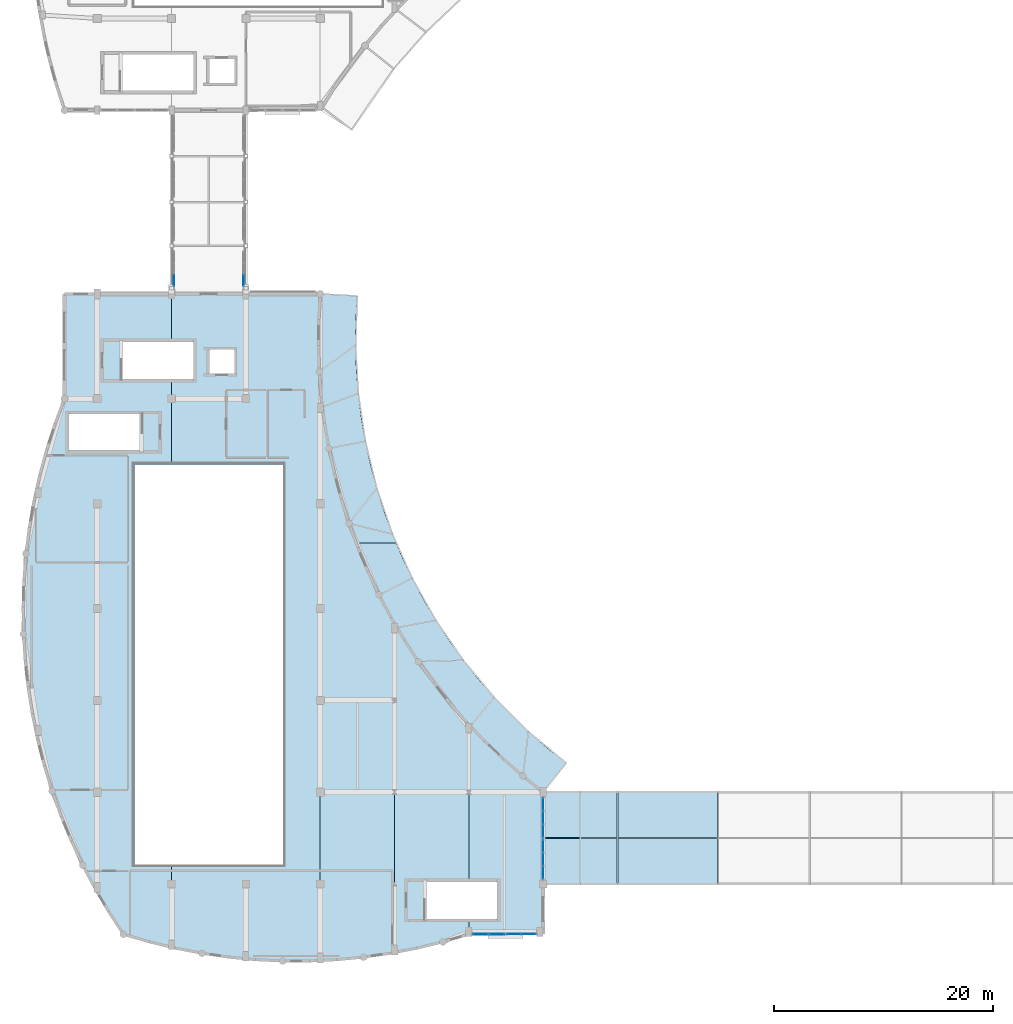
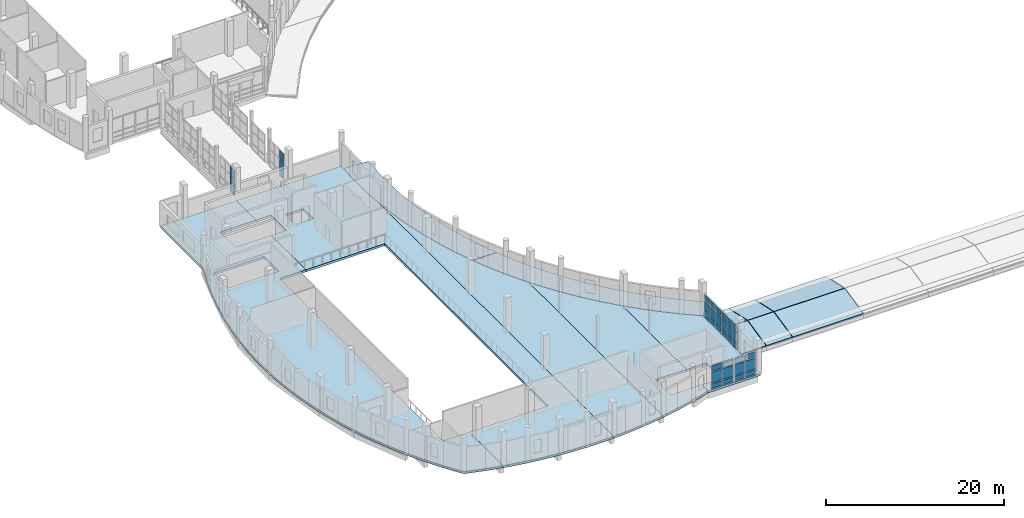
# One storey, part 66 of 106: 36 plates, 13 slabs, 6 elements without a shape of their own.
"""IFC4 building model written with IfcOpenShell, lengths in metres."""

from ifc_helpers import new_model, si_unit, direction, frame, origin, origin_2d, place, context, subcontext, project, spatial, polyline, rectangle, outline, extrude, material, layer, layer_set, type_object, element, aggregate, save


model = new_model("IFC4")

# Units and contexts
model_context = context("Model", 3, precision=1e-05, world=origin(), true_north=direction((0.0, 1.0)))
body_context = subcontext(model_context, "Body", "Model", "MODEL_VIEW")
ifc_project = project(units=[si_unit("LENGTHUNIT", "METRE"), si_unit("AREAUNIT", "SQUARE_METRE"), si_unit("VOLUMEUNIT", "CUBIC_METRE"), si_unit("PLANEANGLEUNIT", "RADIAN"), si_unit("MASSUNIT", "GRAM", prefix="KILO")], contexts=[model_context])

# Site, building, storey
site_placement = place(None, origin())
site = spatial("IfcSite", under=ifc_project, at=site_placement, CompositionType="ELEMENT")
building_placement = place(site_placement, origin())
building = spatial("IfcBuilding", under=site, at=building_placement, Name="Kisaragi Civic Commons", CompositionType="ELEMENT")
storey_placement = place(building_placement, frame((0.0, 0.0, 4.800048828125)))
storey = spatial("IfcBuildingStorey", under=building, at=storey_placement, Name="L01", CompositionType="ELEMENT", Elevation=4.800048828125)

# Curtain wall, plates
ifc_material_1 = material(Name="Thermally broken anodized aluminium and low-E double glazing", Category="aluminium")
ifc_layer_1 = layer(ifc_material_1, 0.2099609375, Name="Thermally broken anodized aluminium and low-E double glazing", Category="aluminium")
ifc_layer_set_1 = layer_set([ifc_layer_1], Name="Thermally broken anodized aluminium and low-E double glazing")
curtain_wall_type_1 = type_object("IfcCurtainWallType", Name="CW-02", PredefinedType="NOTDEFINED", material=ifc_layer_set_1)
curtain_wall_1_placement = place(storey_placement, origin())
curtain_wall_1 = element("IfcCurtainWall", 1, at=curtain_wall_1_placement, inside=storey, type_object=curtain_wall_type_1, Name="L01 curtain wall CW-02 CW-V1-L01-001", PredefinedType="NOTDEFINED")
ifc_layer_2 = layer(ifc_material_1, 0.052001953125, Name="Thermally broken anodized aluminium and low-E double glazing", Category="aluminium")
ifc_layer_set_2 = layer_set([ifc_layer_2], Name="Thermally broken anodized aluminium and low-E double glazing")
plate_type_1 = type_object("IfcPlateType", Name="CWP-02", PredefinedType="CURTAIN_PANEL", material=ifc_layer_set_2)
plate_1_placement = place(storey_placement, frame((47.60009765625, 15.694091796875, 0.15966796875), z_axis=(0.0, 0.0, 1.0), x_axis=(0.0, -1.0, 0.0)))
plate_1 = element("IfcPlate", 2, at=plate_1_placement, type_object=plate_type_1, Name="CW-02 panel 1.1", PredefinedType="CURTAIN_PANEL", context=body_context, shape_type="SweptSolid", body=[
    extrude(rectangle(XDim=1.131591796875, YDim=0.052001953125, at=origin_2d()), origin(), (0.0, 0.0, 1.0), 0.610107421875),
])
plate_2_placement = place(storey_placement, frame((47.60009765625, 15.694091796875, 0.929931640625), z_axis=(0.0, 0.0, 1.0), x_axis=(0.0, -1.0, 0.0)))
plate_2 = element("IfcPlate", 3, at=plate_2_placement, type_object=plate_type_1, Name="CW-02 panel 1.2", PredefinedType="CURTAIN_PANEL", context=body_context, shape_type="SweptSolid", body=[
    extrude(rectangle(XDim=1.131591796875, YDim=0.052001953125, at=origin_2d()), origin(), (0.0, 0.0, 1.0), 1.43994140625),
])
plate_3_placement = place(storey_placement, frame((47.60009765625, 15.694091796875, 2.52978515625), z_axis=(0.0, 0.0, 1.0), x_axis=(0.0, -1.0, 0.0)))
plate_3 = element("IfcPlate", 4, at=plate_3_placement, type_object=plate_type_1, Name="CW-02 panel 1.3", PredefinedType="CURTAIN_PANEL", context=body_context, shape_type="SweptSolid", body=[
    extrude(rectangle(XDim=1.131591796875, YDim=0.052001953125, at=origin_2d()), origin(), (0.0, 0.0, 1.0), 0.715087890625),
])
plate_4_placement = place(storey_placement, frame((47.60009765625, 14.46875, 0.15966796875), z_axis=(0.0, 0.0, 1.0), x_axis=(0.0, -1.0, 0.0)))
plate_4 = element("IfcPlate", 5, at=plate_4_placement, type_object=plate_type_1, Name="CW-02 panel 2.1", PredefinedType="CURTAIN_PANEL", context=body_context, shape_type="SweptSolid", body=[
    extrude(rectangle(XDim=1.169189453125, YDim=0.052001953125, at=origin_2d()), origin(), (0.0, 0.0, 1.0), 0.610107421875),
])
plate_5_placement = place(storey_placement, frame((47.60009765625, 14.46875, 0.929931640625), z_axis=(0.0, 0.0, 1.0), x_axis=(0.0, -1.0, 0.0)))
plate_5 = element("IfcPlate", 6, at=plate_5_placement, type_object=plate_type_1, Name="CW-02 panel 2.2", PredefinedType="CURTAIN_PANEL", context=body_context, shape_type="SweptSolid", body=[
    extrude(rectangle(XDim=1.169189453125, YDim=0.052001953125, at=origin_2d()), origin(), (0.0, 0.0, 1.0), 1.43994140625),
])
plate_6_placement = place(storey_placement, frame((47.60009765625, 14.46875, 2.52978515625), z_axis=(0.0, 0.0, 1.0), x_axis=(0.0, -1.0, 0.0)))
plate_6 = element("IfcPlate", 7, at=plate_6_placement, type_object=plate_type_1, Name="CW-02 panel 2.3", PredefinedType="CURTAIN_PANEL", context=body_context, shape_type="SweptSolid", body=[
    extrude(rectangle(XDim=1.169189453125, YDim=0.052001953125, at=origin_2d()), origin(), (0.0, 0.0, 1.0), 0.715087890625),
])
plate_7_placement = place(storey_placement, frame((47.60009765625, 13.243408203125, 0.15966796875), z_axis=(0.0, 0.0, 1.0), x_axis=(0.0, -1.0, 0.0)))
plate_7 = element("IfcPlate", 8, at=plate_7_placement, type_object=plate_type_1, Name="CW-02 panel 3.1", PredefinedType="CURTAIN_PANEL", context=body_context, shape_type="SweptSolid", body=[
    extrude(rectangle(XDim=1.131591796875, YDim=0.052001953125, at=origin_2d()), origin(), (0.0, 0.0, 1.0), 0.610107421875),
])
plate_8_placement = place(storey_placement, frame((47.60009765625, 13.243408203125, 0.929931640625), z_axis=(0.0, 0.0, 1.0), x_axis=(0.0, -1.0, 0.0)))
plate_8 = element("IfcPlate", 9, at=plate_8_placement, type_object=plate_type_1, Name="CW-02 panel 3.2", PredefinedType="CURTAIN_PANEL", context=body_context, shape_type="SweptSolid", body=[
    extrude(rectangle(XDim=1.131591796875, YDim=0.052001953125, at=origin_2d()), origin(), (0.0, 0.0, 1.0), 1.43994140625),
])
plate_9_placement = place(storey_placement, frame((47.60009765625, 13.243408203125, 2.52978515625), z_axis=(0.0, 0.0, 1.0), x_axis=(0.0, -1.0, 0.0)))
plate_9 = element("IfcPlate", 10, at=plate_9_placement, type_object=plate_type_1, Name="CW-02 panel 3.3", PredefinedType="CURTAIN_PANEL", context=body_context, shape_type="SweptSolid", body=[
    extrude(rectangle(XDim=1.131591796875, YDim=0.052001953125, at=origin_2d()), origin(), (0.0, 0.0, 1.0), 0.715087890625),
])
aggregate(curtain_wall_1, [plate_1, plate_2, plate_3, plate_4, plate_5, plate_6, plate_7, plate_8, plate_9])

curtain_wall_2_placement = place(storey_placement, origin())
curtain_wall_2 = element("IfcCurtainWall", 11, at=curtain_wall_2_placement, inside=storey, type_object=curtain_wall_type_1, Name="L01 curtain wall CW-02 CW-V1-L01-002", PredefinedType="NOTDEFINED")
ifc_layer_3 = layer(ifc_material_1, 0.06396484375, Name="Thermally broken anodized aluminium and low-E double glazing", Category="aluminium")
ifc_layer_set_3 = layer_set([ifc_layer_3], Name="Thermally broken anodized aluminium and low-E double glazing")
plate_type_2 = type_object("IfcPlateType", Name="CWP-04", PredefinedType="CURTAIN_PANEL", material=ifc_layer_set_3)
plate_10_placement = place(storey_placement, frame((47.60009765625, 11.881591796875, 0.15966796875), z_axis=(0.0, 0.0, 1.0), x_axis=(0.0, -1.0, 0.0)))
plate_10 = element("IfcPlate", 12, at=plate_10_placement, type_object=plate_type_2, Name="CW-02 panel 1.1", PredefinedType="CURTAIN_PANEL", context=body_context, shape_type="SweptSolid", body=[
    extrude(rectangle(XDim=1.131591796875, YDim=0.06396484375, at=origin_2d()), origin(), (0.0, 0.0, 1.0), 0.610107421875),
])
plate_11_placement = place(storey_placement, frame((47.60009765625, 11.881591796875, 0.929931640625), z_axis=(0.0, 0.0, 1.0), x_axis=(0.0, -1.0, 0.0)))
plate_11 = element("IfcPlate", 13, at=plate_11_placement, type_object=plate_type_2, Name="CW-02 panel 1.2", PredefinedType="CURTAIN_PANEL", context=body_context, shape_type="SweptSolid", body=[
    extrude(rectangle(XDim=1.131591796875, YDim=0.06396484375, at=origin_2d()), origin(), (0.0, 0.0, 1.0), 1.43994140625),
])
plate_12_placement = place(storey_placement, frame((47.60009765625, 11.881591796875, 2.52978515625), z_axis=(0.0, 0.0, 1.0), x_axis=(0.0, -1.0, 0.0)))
plate_12 = element("IfcPlate", 14, at=plate_12_placement, type_object=plate_type_2, Name="CW-02 panel 1.3", PredefinedType="CURTAIN_PANEL", context=body_context, shape_type="SweptSolid", body=[
    extrude(rectangle(XDim=1.131591796875, YDim=0.06396484375, at=origin_2d()), origin(), (0.0, 0.0, 1.0), 0.715087890625),
])
plate_13_placement = place(storey_placement, frame((47.60009765625, 10.65625, 0.15966796875), z_axis=(0.0, 0.0, 1.0), x_axis=(0.0, -1.0, 0.0)))
plate_13 = element("IfcPlate", 15, at=plate_13_placement, type_object=plate_type_2, Name="CW-02 panel 2.1", PredefinedType="CURTAIN_PANEL", context=body_context, shape_type="SweptSolid", body=[
    extrude(rectangle(XDim=1.169189453125, YDim=0.06396484375, at=origin_2d()), origin(), (0.0, 0.0, 1.0), 0.610107421875),
])
plate_14_placement = place(storey_placement, frame((47.60009765625, 10.65625, 0.929931640625), z_axis=(0.0, 0.0, 1.0), x_axis=(0.0, -1.0, 0.0)))
plate_14 = element("IfcPlate", 16, at=plate_14_placement, type_object=plate_type_2, Name="CW-02 panel 2.2", PredefinedType="CURTAIN_PANEL", context=body_context, shape_type="SweptSolid", body=[
    extrude(rectangle(XDim=1.169189453125, YDim=0.06396484375, at=origin_2d()), origin(), (0.0, 0.0, 1.0), 1.43994140625),
])
plate_15_placement = place(storey_placement, frame((47.60009765625, 10.65625, 2.52978515625), z_axis=(0.0, 0.0, 1.0), x_axis=(0.0, -1.0, 0.0)))
plate_15 = element("IfcPlate", 17, at=plate_15_placement, type_object=plate_type_2, Name="CW-02 panel 2.3", PredefinedType="CURTAIN_PANEL", context=body_context, shape_type="SweptSolid", body=[
    extrude(rectangle(XDim=1.169189453125, YDim=0.06396484375, at=origin_2d()), origin(), (0.0, 0.0, 1.0), 0.715087890625),
])
plate_16_placement = place(storey_placement, frame((47.60009765625, 9.430908203125, 0.15966796875), z_axis=(0.0, 0.0, 1.0), x_axis=(0.0, -1.0, 0.0)))
plate_16 = element("IfcPlate", 18, at=plate_16_placement, type_object=plate_type_2, Name="CW-02 panel 3.1", PredefinedType="CURTAIN_PANEL", context=body_context, shape_type="SweptSolid", body=[
    extrude(rectangle(XDim=1.131591796875, YDim=0.06396484375, at=origin_2d()), origin(), (0.0, 0.0, 1.0), 0.610107421875),
])
plate_17_placement = place(storey_placement, frame((47.60009765625, 9.430908203125, 0.929931640625), z_axis=(0.0, 0.0, 1.0), x_axis=(0.0, -1.0, 0.0)))
plate_17 = element("IfcPlate", 19, at=plate_17_placement, type_object=plate_type_2, Name="CW-02 panel 3.2", PredefinedType="CURTAIN_PANEL", context=body_context, shape_type="SweptSolid", body=[
    extrude(rectangle(XDim=1.131591796875, YDim=0.06396484375, at=origin_2d()), origin(), (0.0, 0.0, 1.0), 1.43994140625),
])
plate_18_placement = place(storey_placement, frame((47.60009765625, 9.430908203125, 2.52978515625), z_axis=(0.0, 0.0, 1.0), x_axis=(0.0, -1.0, 0.0)))
plate_18 = element("IfcPlate", 20, at=plate_18_placement, type_object=plate_type_2, Name="CW-02 panel 3.3", PredefinedType="CURTAIN_PANEL", context=body_context, shape_type="SweptSolid", body=[
    extrude(rectangle(XDim=1.131591796875, YDim=0.06396484375, at=origin_2d()), origin(), (0.0, 0.0, 1.0), 0.715087890625),
])
aggregate(curtain_wall_2, [plate_10, plate_11, plate_12, plate_13, plate_14, plate_15, plate_16, plate_17, plate_18])

curtain_wall_3_placement = place(storey_placement, origin())
curtain_wall_3 = element("IfcCurtainWall", 21, at=curtain_wall_3_placement, inside=storey, type_object=curtain_wall_type_1, Name="L01 curtain wall CW-02 CW-V1-L01-003", PredefinedType="NOTDEFINED")
ifc_layer_4 = layer(ifc_material_1, 0.048095703125, Name="Thermally broken anodized aluminium and low-E double glazing", Category="aluminium")
ifc_layer_set_4 = layer_set([ifc_layer_4], Name="Thermally broken anodized aluminium and low-E double glazing")
plate_type_3 = type_object("IfcPlateType", Name="CWP-05", PredefinedType="CURTAIN_PANEL", material=ifc_layer_set_4)
plate_19_placement = place(storey_placement, frame((46.274169921875, 3.800048828125, 0.15966796875), z_axis=(0.0, 0.0, 1.0), x_axis=(-1.0, 0.0, 0.0)))
plate_19 = element("IfcPlate", 22, at=plate_19_placement, type_object=plate_type_3, Name="CW-02 panel 1.1", PredefinedType="CURTAIN_PANEL", context=body_context, shape_type="SweptSolid", body=[
    extrude(rectangle(XDim=1.27783203125, YDim=0.048095703125, at=origin_2d()), origin(), (0.0, 0.0, 1.0), 0.610107421875),
])
plate_20_placement = place(storey_placement, frame((46.274169921875, 3.800048828125, 0.929931640625), z_axis=(0.0, 0.0, 1.0), x_axis=(-1.0, 0.0, 0.0)))
plate_20 = element("IfcPlate", 23, at=plate_20_placement, type_object=plate_type_3, Name="CW-02 panel 1.2", PredefinedType="CURTAIN_PANEL", context=body_context, shape_type="SweptSolid", body=[
    extrude(rectangle(XDim=1.27783203125, YDim=0.048095703125, at=origin_2d()), origin(), (0.0, 0.0, 1.0), 1.43994140625),
])
plate_21_placement = place(storey_placement, frame((46.274169921875, 3.800048828125, 2.52978515625), z_axis=(0.0, 0.0, 1.0), x_axis=(-1.0, 0.0, 0.0)))
plate_21 = element("IfcPlate", 24, at=plate_21_placement, type_object=plate_type_3, Name="CW-02 panel 1.3", PredefinedType="CURTAIN_PANEL", context=body_context, shape_type="SweptSolid", body=[
    extrude(rectangle(XDim=1.27783203125, YDim=0.048095703125, at=origin_2d()), origin(), (0.0, 0.0, 1.0), 0.715087890625),
])
plate_22_placement = place(storey_placement, frame((44.92138671875, 3.800048828125, 0.15966796875), z_axis=(0.0, 0.0, 1.0), x_axis=(-1.0, 0.0, 0.0)))
plate_22 = element("IfcPlate", 25, at=plate_22_placement, type_object=plate_type_3, Name="CW-02 panel 2.1", PredefinedType="CURTAIN_PANEL", context=body_context, shape_type="SweptSolid", body=[
    extrude(rectangle(XDim=1.27783203125, YDim=0.048095703125, at=origin_2d()), origin(), (0.0, 0.0, 1.0), 0.610107421875),
])
plate_23_placement = place(storey_placement, frame((44.92138671875, 3.800048828125, 0.929931640625), z_axis=(0.0, 0.0, 1.0), x_axis=(-1.0, 0.0, 0.0)))
plate_23 = element("IfcPlate", 26, at=plate_23_placement, type_object=plate_type_3, Name="CW-02 panel 2.2", PredefinedType="CURTAIN_PANEL", context=body_context, shape_type="SweptSolid", body=[
    extrude(rectangle(XDim=1.27783203125, YDim=0.048095703125, at=origin_2d()), origin(), (0.0, 0.0, 1.0), 1.43994140625),
])
plate_24_placement = place(storey_placement, frame((44.92138671875, 3.800048828125, 2.52978515625), z_axis=(0.0, 0.0, 1.0), x_axis=(-1.0, 0.0, 0.0)))
plate_24 = element("IfcPlate", 27, at=plate_24_placement, type_object=plate_type_3, Name="CW-02 panel 2.3", PredefinedType="CURTAIN_PANEL", context=body_context, shape_type="SweptSolid", body=[
    extrude(rectangle(XDim=1.27783203125, YDim=0.048095703125, at=origin_2d()), origin(), (0.0, 0.0, 1.0), 0.715087890625),
])
aggregate(curtain_wall_3, [plate_19, plate_20, plate_21, plate_22, plate_23, plate_24])

curtain_wall_4_placement = place(storey_placement, origin())
curtain_wall_4 = element("IfcCurtainWall", 28, at=curtain_wall_4_placement, inside=storey, type_object=curtain_wall_type_1, Name="L01 curtain wall CW-02 CW-V1-L01-004", PredefinedType="NOTDEFINED")
ifc_layer_5 = layer(ifc_material_1, 0.055908203125, Name="Thermally broken anodized aluminium and low-E double glazing", Category="aluminium")
ifc_layer_set_5 = layer_set([ifc_layer_5], Name="Thermally broken anodized aluminium and low-E double glazing")
plate_type_4 = type_object("IfcPlateType", Name="CWP-06", PredefinedType="CURTAIN_PANEL", material=ifc_layer_set_5)
plate_25_placement = place(storey_placement, frame((43.355712890625, 3.800048828125, 0.15966796875), z_axis=(0.0, 0.0, 1.0), x_axis=(-1.0, 0.0, 0.0)))
plate_25 = element("IfcPlate", 29, at=plate_25_placement, type_object=plate_type_4, Name="CW-02 panel 1.1", PredefinedType="CURTAIN_PANEL", context=body_context, shape_type="SweptSolid", body=[
    extrude(rectangle(XDim=1.393798828125, YDim=0.055908203125, at=origin_2d()), origin(), (0.0, 0.0, 1.0), 0.610107421875),
])
plate_26_placement = place(storey_placement, frame((43.355712890625, 3.800048828125, 0.929931640625), z_axis=(0.0, 0.0, 1.0), x_axis=(-1.0, 0.0, 0.0)))
plate_26 = element("IfcPlate", 30, at=plate_26_placement, type_object=plate_type_4, Name="CW-02 panel 1.2", PredefinedType="CURTAIN_PANEL", context=body_context, shape_type="SweptSolid", body=[
    extrude(rectangle(XDim=1.393798828125, YDim=0.055908203125, at=origin_2d()), origin(), (0.0, 0.0, 1.0), 1.43994140625),
])
plate_27_placement = place(storey_placement, frame((43.355712890625, 3.800048828125, 2.52978515625), z_axis=(0.0, 0.0, 1.0), x_axis=(-1.0, 0.0, 0.0)))
plate_27 = element("IfcPlate", 31, at=plate_27_placement, type_object=plate_type_4, Name="CW-02 panel 1.3", PredefinedType="CURTAIN_PANEL", context=body_context, shape_type="SweptSolid", body=[
    extrude(rectangle(XDim=1.393798828125, YDim=0.055908203125, at=origin_2d()), origin(), (0.0, 0.0, 1.0), 0.715087890625),
])
plate_28_placement = place(storey_placement, frame((41.886962890625, 3.800048828125, 0.15966796875), z_axis=(0.0, 0.0, 1.0), x_axis=(-1.0, 0.0, 0.0)))
plate_28 = element("IfcPlate", 32, at=plate_28_placement, type_object=plate_type_4, Name="CW-02 panel 2.1", PredefinedType="CURTAIN_PANEL", context=body_context, shape_type="SweptSolid", body=[
    extrude(rectangle(XDim=1.393798828125, YDim=0.055908203125, at=origin_2d()), origin(), (0.0, 0.0, 1.0), 0.610107421875),
])
plate_29_placement = place(storey_placement, frame((41.886962890625, 3.800048828125, 0.929931640625), z_axis=(0.0, 0.0, 1.0), x_axis=(-1.0, 0.0, 0.0)))
plate_29 = element("IfcPlate", 33, at=plate_29_placement, type_object=plate_type_4, Name="CW-02 panel 2.2", PredefinedType="CURTAIN_PANEL", context=body_context, shape_type="SweptSolid", body=[
    extrude(rectangle(XDim=1.393798828125, YDim=0.055908203125, at=origin_2d()), origin(), (0.0, 0.0, 1.0), 1.43994140625),
])
plate_30_placement = place(storey_placement, frame((41.886962890625, 3.800048828125, 2.52978515625), z_axis=(0.0, 0.0, 1.0), x_axis=(-1.0, 0.0, 0.0)))
plate_30 = element("IfcPlate", 34, at=plate_30_placement, type_object=plate_type_4, Name="CW-02 panel 2.3", PredefinedType="CURTAIN_PANEL", context=body_context, shape_type="SweptSolid", body=[
    extrude(rectangle(XDim=1.393798828125, YDim=0.055908203125, at=origin_2d()), origin(), (0.0, 0.0, 1.0), 0.715087890625),
])
aggregate(curtain_wall_4, [plate_25, plate_26, plate_27, plate_28, plate_29, plate_30])

ifc_layer_6 = layer(ifc_material_1, 0.179931640625, Name="Thermally broken anodized aluminium and low-E double glazing", Category="aluminium")
ifc_layer_set_6 = layer_set([ifc_layer_6], Name="Thermally broken anodized aluminium and low-E double glazing")
curtain_wall_type_2 = type_object("IfcCurtainWallType", Name="CW-04", PredefinedType="NOTDEFINED", material=ifc_layer_set_6)
curtain_wall_5_placement = place(storey_placement, origin())
curtain_wall_5 = element("IfcCurtainWall", 35, at=curtain_wall_5_placement, inside=storey, type_object=curtain_wall_type_2, Name="L01 curtain wall CW-04 CW-BR-125", PredefinedType="NOTDEFINED")
ifc_layer_7 = layer(ifc_material_1, 0.068115234375, Name="Thermally broken anodized aluminium and low-E double glazing", Category="aluminium")
ifc_layer_set_7 = layer_set([ifc_layer_7], Name="Thermally broken anodized aluminium and low-E double glazing")
plate_type_5 = type_object("IfcPlateType", Name="CWP-08", PredefinedType="CURTAIN_PANEL", material=ifc_layer_set_7)
plate_31_placement = place(storey_placement, frame((13.820068359375, 63.621337890625, 0.14013671875), z_axis=(0.0, 0.0, 1.0), x_axis=(0.0, 1.0, 0.0)))
plate_31 = element("IfcPlate", 36, at=plate_31_placement, type_object=plate_type_5, Name="CW-04 panel 1.1", PredefinedType="CURTAIN_PANEL", context=body_context, shape_type="SweptSolid", body=[
    extrude(rectangle(XDim=0.972412109375, YDim=0.068115234375, at=origin_2d()), origin(), (0.0, 0.0, 1.0), 0.639892578125),
])
plate_32_placement = place(storey_placement, frame((13.820068359375, 63.621337890625, 0.919921875), z_axis=(0.0, 0.0, 1.0), x_axis=(0.0, 1.0, 0.0)))
plate_32 = element("IfcPlate", 37, at=plate_32_placement, type_object=plate_type_5, Name="CW-04 panel 1.2", PredefinedType="CURTAIN_PANEL", context=body_context, shape_type="SweptSolid", body=[
    extrude(rectangle(XDim=0.972412109375, YDim=0.068115234375, at=origin_2d()), origin(), (0.0, 0.0, 1.0), 1.4599609375),
])
plate_33_placement = place(storey_placement, frame((13.820068359375, 63.621337890625, 2.52001953125), z_axis=(0.0, 0.0, 1.0), x_axis=(0.0, 1.0, 0.0)))
plate_33 = element("IfcPlate", 38, at=plate_33_placement, type_object=plate_type_5, Name="CW-04 panel 1.3", PredefinedType="CURTAIN_PANEL", context=body_context, shape_type="SweptSolid", body=[
    extrude(rectangle(XDim=0.972412109375, YDim=0.068115234375, at=origin_2d()), origin(), (0.0, 0.0, 1.0), 1.10009765625),
])
aggregate(curtain_wall_5, [plate_31, plate_32, plate_33])

curtain_wall_6_placement = place(storey_placement, origin())
curtain_wall_6 = element("IfcCurtainWall", 39, at=curtain_wall_6_placement, inside=storey, type_object=curtain_wall_type_2, Name="L01 curtain wall CW-04 CW-BR-129", PredefinedType="NOTDEFINED")
plate_34_placement = place(storey_placement, frame((20.179931640625, 63.621337890625, 0.14013671875), z_axis=(0.0, 0.0, 1.0), x_axis=(0.0, 1.0, 0.0)))
plate_34 = element("IfcPlate", 40, at=plate_34_placement, type_object=plate_type_5, Name="CW-04 panel 1.1", PredefinedType="CURTAIN_PANEL", context=body_context, shape_type="SweptSolid", body=[
    extrude(rectangle(XDim=0.972412109375, YDim=0.068115234375, at=origin_2d()), origin(), (0.0, 0.0, 1.0), 0.639892578125),
])
plate_35_placement = place(storey_placement, frame((20.179931640625, 63.621337890625, 0.919921875), z_axis=(0.0, 0.0, 1.0), x_axis=(0.0, 1.0, 0.0)))
plate_35 = element("IfcPlate", 41, at=plate_35_placement, type_object=plate_type_5, Name="CW-04 panel 1.2", PredefinedType="CURTAIN_PANEL", context=body_context, shape_type="SweptSolid", body=[
    extrude(rectangle(XDim=0.972412109375, YDim=0.068115234375, at=origin_2d()), origin(), (0.0, 0.0, 1.0), 1.4599609375),
])
plate_36_placement = place(storey_placement, frame((20.179931640625, 63.621337890625, 2.52001953125), z_axis=(0.0, 0.0, 1.0), x_axis=(0.0, 1.0, 0.0)))
plate_36 = element("IfcPlate", 42, at=plate_36_placement, type_object=plate_type_5, Name="CW-04 panel 1.3", PredefinedType="CURTAIN_PANEL", context=body_context, shape_type="SweptSolid", body=[
    extrude(rectangle(XDim=0.972412109375, YDim=0.068115234375, at=origin_2d()), origin(), (0.0, 0.0, 1.0), 1.10009765625),
])
aggregate(curtain_wall_6, [plate_34, plate_35, plate_36])

# Slabs
ifc_material_2 = material(Name="Concrete Fc30", Category="concrete")
ifc_layer_8 = layer(ifc_material_2, 0.304931640625, Name="Concrete Fc30", Category="concrete")
ifc_layer_set_8 = layer_set([ifc_layer_8], Name="Concrete Fc30")
slab_type_1 = type_object("IfcSlabType", Name="SL-F1", PredefinedType="FLOOR", material=ifc_layer_set_8)
slab_1_placement = place(storey_placement, frame((0.0, 0.0, -0.304931640625)))
element("IfcSlab", 43, at=slab_1_placement, inside=storey, type_object=slab_type_1, Name="V1 L01 slab SL-F1 6", PredefinedType="FLOOR", context=body_context, shape_type="SweptSolid", body=[
    extrude(outline(polyline([(13.60009765625, 2.6142578125), (13.60009765625, 10.199951171875), (10.199951171875, 10.199951171875), (10.199951171875, 46.800048828125), (13.60009765625, 46.800048828125), (13.60009765625, 54.60009765625), (9.0, 54.60009765625), (9.0, 58.0), (13.60009765625, 58.0), (13.60009765625, 62.39990234375), (3.800048828125, 62.39990234375), (3.800048828125, 52.800048828125), (2.937255859375, 50.51171875), (2.18310546875, 48.185546875), (1.5390625, 45.826416015625), (1.006591796875, 43.439697265625), (0.587158203125, 41.030517578125), (0.28125, 38.604248046875), (0.08984375, 36.16650390625), (0.01318359375, 33.72216796875), (0.051513671875, 31.277099609375), (0.204833984375, 28.83642578125), (0.47265625, 26.40576171875), (0.8544921875, 23.990234375), (1.349609375, 21.595458984375), (1.95654296875, 19.2265625), (2.67431640625, 16.888916015625), (3.501220703125, 14.58740234375), (4.435302734375, 12.327392578125), (5.474609375, 10.11376953125), (6.616943359375, 7.95166015625), (7.859619140625, 5.845458984375), (9.199951171875, 3.800048828125), (11.570068359375, 3.105712890625), (13.60009765625, 2.6142578125)]), holes=[polyline([(10.85009765625, 51.39990234375), (4.199951171875, 51.39990234375), (4.199951171875, 48.10009765625), (10.85009765625, 48.10009765625), (10.85009765625, 51.39990234375)])]), origin(), (0.0, 0.0, 1.0), 0.304931640625),
])
slab_2_placement = place(storey_placement, frame((0.0, 0.0, -0.304931640625)))
element("IfcSlab", 44, at=slab_2_placement, inside=storey, type_object=slab_type_1, Name="V1 L01 slab SL-F1 7", PredefinedType="FLOOR", context=body_context, shape_type="SweptSolid", body=[
    extrude(outline(polyline([(27.199951171875, 62.39990234375), (13.60009765625, 62.39990234375), (13.60009765625, 58.0), (15.60009765625, 58.0), (15.60009765625, 54.60009765625), (13.60009765625, 54.60009765625), (13.60009765625, 46.800048828125), (23.800048828125, 46.800048828125), (23.800048828125, 10.199951171875), (13.60009765625, 10.199951171875), (13.60009765625, 2.6142578125), (13.97021484375, 2.524658203125), (16.3955078125, 2.058349609375), (18.840087890625, 1.707763671875), (21.29833984375, 1.473388671875), (23.76513671875, 1.356201171875), (26.23486328125, 1.356201171875), (27.199951171875, 1.402099609375), (27.199951171875, 54.219482421875), (27.114501953125, 55.30029296875), (27.03515625, 57.66748046875), (27.063720703125, 60.03564453125), (27.199951171875, 62.39990234375)]), holes=[polyline([(17.050048828125, 57.300048828125), (17.050048828125, 55.10009765625), (19.35009765625, 55.10009765625), (19.35009765625, 57.300048828125), (17.050048828125, 57.300048828125)])]), origin(), (0.0, 0.0, 1.0), 0.304931640625),
])
slab_3_placement = place(storey_placement, frame((0.0, 0.0, -0.304931640625)))
element("IfcSlab", 45, at=slab_3_placement, inside=storey, type_object=slab_type_1, Name="V1 L01 slab SL-F1 8", PredefinedType="FLOOR", context=body_context, shape_type="SweptSolid", body=[
    extrude(outline(polyline([(27.199951171875, 54.219482421875), (27.199951171875, 1.402099609375), (28.70166015625, 1.473388671875), (31.159912109375, 1.707763671875), (33.6044921875, 2.058349609375), (34.0, 2.134521484375), (34.0, 32.2431640625), (33.694091796875, 32.759765625), (32.581787109375, 34.8505859375), (31.565673828125, 36.989990234375), (30.64794921875, 39.173095703125), (29.83056640625, 41.39599609375), (29.115478515625, 43.65380859375), (28.503662109375, 45.94189453125), (27.996826171875, 48.25537109375), (27.595703125, 50.58935546875), (27.301513671875, 52.939453125), (27.199951171875, 54.219482421875)])), origin(), (0.0, 0.0, 1.0), 0.304931640625),
])
slab_4_placement = place(storey_placement, frame((0.0, 0.0, -0.304931640625)))
element("IfcSlab", 46, at=slab_4_placement, inside=storey, type_object=slab_type_1, Name="V1 L01 slab SL-F1 9", PredefinedType="FLOOR", context=body_context, shape_type="SweptSolid", body=[
    extrude(outline(polyline([(34.0, 32.2431640625), (34.0, 2.134521484375), (36.02978515625, 2.524658203125), (38.429931640625, 3.105712890625), (40.800048828125, 3.800048828125), (40.800048828125, 5.199951171875), (36.800048828125, 5.199951171875), (36.800048828125, 8.60009765625), (40.800048828125, 8.60009765625), (40.800048828125, 22.986572265625), (40.614501953125, 23.180908203125), (39.05859375, 24.966552734375), (37.585693359375, 26.821044921875), (36.19873046875, 28.740966796875), (34.900634765625, 30.7216796875), (34.0, 32.2431640625)])), origin(), (0.0, 0.0, 1.0), 0.304931640625),
])
slab_5_placement = place(storey_placement, frame((0.0, 0.0, -0.304931640625)))
element("IfcSlab", 47, at=slab_5_placement, inside=storey, type_object=slab_type_1, Name="V1 L01 slab SL-F1 10", PredefinedType="FLOOR", context=body_context, shape_type="SweptSolid", body=[
    extrude(outline(polyline([(40.800048828125, 22.986572265625), (40.800048828125, 8.60009765625), (43.39990234375, 8.60009765625), (43.39990234375, 5.199951171875), (40.800048828125, 5.199951171875), (40.800048828125, 3.800048828125), (47.60009765625, 3.800048828125), (47.60009765625, 16.800048828125), (45.746337890625, 18.274169921875), (43.9619140625, 19.831298828125), (42.25, 21.468017578125), (40.800048828125, 22.986572265625)])), origin(), (0.0, 0.0, 1.0), 0.304931640625),
])
ifc_layer_9 = layer(ifc_material_2, 0.18994140625, Name="Concrete Fc30", Category="concrete")
ifc_layer_set_9 = layer_set([ifc_layer_9], Name="Concrete Fc30")
slab_type_2 = type_object("IfcSlabType", Name="SL-RF2", PredefinedType="ROOF", material=ifc_layer_set_9)
for number, where, z_axis, x_axis, name in (
    (48, (47.6298828125, 8.39990234375, -0.18994140625), (0.0, -0.214435237054, 0.976738209097), (1.0, 0.0, 0.0), "BR-V1-V3 gable roof facet 31"),
    (49, (47.6298828125, 12.6298828125, 0.7255859375), (0.0, 0.214435237054, 0.976738209097), (1.0, 0.0, 0.0), "BR-V1-V3 gable roof facet 32"),
    (50, (51.030029296875, 8.39990234375, -0.18994140625), (0.0, -0.214435237054, 0.976738209097), (1.0, 0.0, 0.0), "BR-V1-V3 gable roof facet 33"),
    (51, (51.030029296875, 12.6298828125, 0.7255859375), (0.0, 0.214435237054, 0.976738209097), (1.0, 0.0, 0.0), "BR-V1-V3 gable roof facet 34"),
):
    element("IfcSlab", number, at=place(storey_placement, frame(where, z_axis=z_axis, x_axis=x_axis)), inside=storey, type_object=slab_type_2, Name=name, PredefinedType="ROOF", context=body_context, shape_type="SweptSolid", body=[
        extrude(outline(polyline([(0.0, 0.0), (3.340087890625, 0.0), (3.340087890625, 4.269481808724288), (0.0, 4.269481808724288), (0.0, 0.0)])), origin(), (0.0, 0.0, -1.0), 0.18994140625),
    ])
for number, where, z_axis, x_axis, name in (
    (52, (54.429931640625, 8.39990234375, -0.18994140625), (0.0, -0.214435237054, 0.976738209097), (1.0, 0.0, 0.0), "BR-V1-V3 gable roof facet 35"),
    (53, (54.429931640625, 12.6298828125, 0.7255859375), (0.0, 0.214435237054, 0.976738209097), (1.0, 0.0, 0.0), "BR-V1-V3 gable roof facet 36"),
):
    element("IfcSlab", number, at=place(storey_placement, frame(where, z_axis=z_axis, x_axis=x_axis)), inside=storey, type_object=slab_type_2, Name=name, PredefinedType="ROOF", context=body_context, shape_type="SweptSolid", body=[
        extrude(outline(polyline([(0.0, 0.0), (9.14013671875, 0.0), (9.14013671875, 4.269481808724288), (0.0, 4.269481808724288), (0.0, 0.0)])), origin(), (0.0, 0.0, -1.0), 0.18994140625),
    ])
ifc_layer_10 = layer(ifc_material_2, 0.175048828125, Name="Concrete Fc30", Category="concrete")
ifc_layer_set_10 = layer_set([ifc_layer_10], Name="Concrete Fc30")
slab_type_3 = type_object("IfcSlabType", Name="SL-RF3", PredefinedType="ROOF", material=ifc_layer_set_10)
slab_6_placement = place(storey_placement, frame((0.0, 0.0, -0.625)))
element("IfcSlab", 54, at=slab_6_placement, inside=storey, type_object=slab_type_3, Name="VER-V1 engawa veranda roof slab 1", PredefinedType="ROOF", context=body_context, shape_type="SweptSolid", body=[
    extrude(outline(polyline([(34.15771484375, 39.595458984375), (30.5087890625, 39.595458984375), (30.661865234375, 39.1787109375), (31.579345703125, 36.99609375), (32.59521484375, 34.857421875), (33.707275390625, 32.76708984375), (34.913330078125, 30.729736328125), (36.211181640625, 28.74951171875), (37.59765625, 26.830078125), (39.0703125, 24.97607421875), (40.62548828125, 23.19091796875), (42.260498046875, 21.478515625), (43.971923828125, 19.84228515625), (45.756103515625, 18.28564453125), (47.609375, 16.811767578125), (47.609375, 16.811767578125), (49.71630859375, 19.4609375), (47.9228515625, 20.886474609375), (46.2548828125, 22.341552734375), (44.655029296875, 23.87109375), (43.12646484375, 25.47216796875), (41.67236328125, 27.14111328125), (40.295654296875, 28.87451171875), (38.99951171875, 30.668701171875), (37.7861328125, 32.52001953125), (36.65869140625, 34.4248046875), (35.618896484375, 36.37890625), (34.669189453125, 38.37841796875), (34.15771484375, 39.595458984375)])), origin(), (0.0, 0.0, 1.0), 0.175048828125),
])
slab_7_placement = place(storey_placement, frame((0.0, 0.0, -0.625)))
element("IfcSlab", 55, at=slab_7_placement, inside=storey, type_object=slab_type_3, Name="VER-V1 engawa veranda roof slab 2", PredefinedType="ROOF", context=body_context, shape_type="SweptSolid", body=[
    extrude(outline(polyline([(30.594482421875, 62.204345703125), (27.215087890625, 62.399169921875), (27.07861328125, 60.03515625), (27.050048828125, 57.66748046875), (27.12939453125, 55.30126953125), (27.31640625, 52.94091796875), (27.610595703125, 50.591552734375), (28.011474609375, 48.25830078125), (28.518310546875, 45.9453125), (29.1298828125, 43.657958984375), (29.8447265625, 41.40087890625), (30.501220703125, 39.615478515625), (34.149169921875, 39.615478515625), (33.8115234375, 40.4189453125), (33.047607421875, 42.496337890625), (32.379150390625, 44.6064453125), (31.8076171875, 46.744873046875), (31.333740234375, 48.9072265625), (30.958984375, 51.088623046875), (30.683837890625, 53.284912109375), (30.509033203125, 55.49169921875), (30.434814453125, 57.703857421875), (30.461669921875, 59.917236328125), (30.594482421875, 62.204345703125)])), origin(), (0.0, 0.0, 1.0), 0.175048828125),
])

save(model, "model.ifc")
